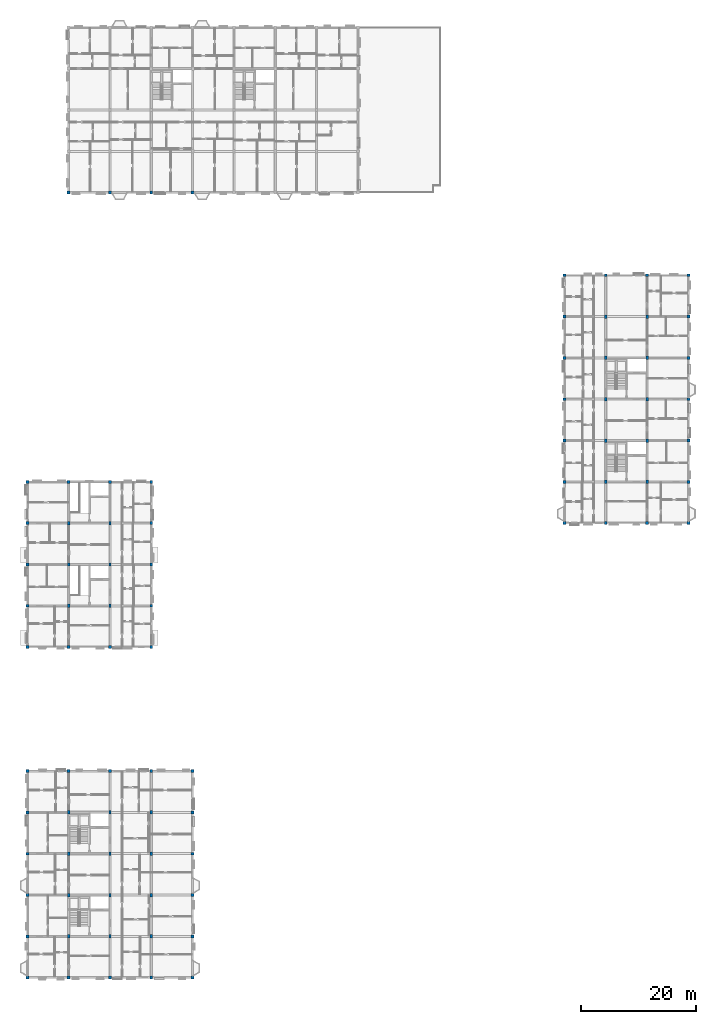
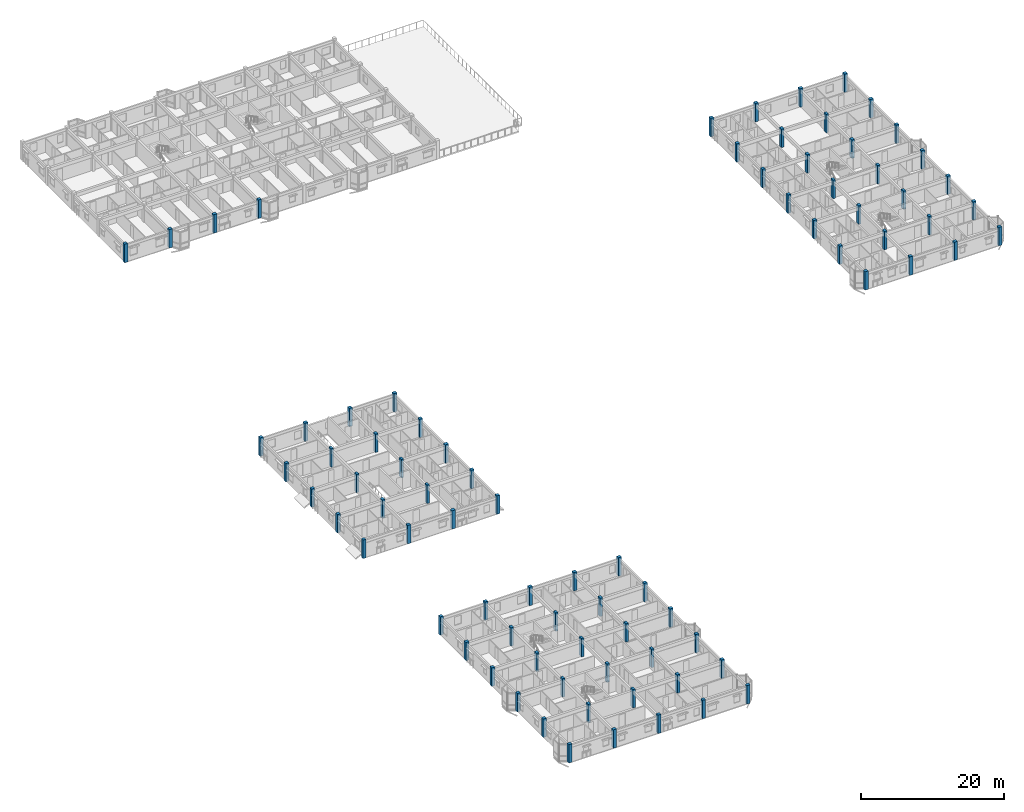
# One storey, part 1 of 64: 82 columns.
"""IFC4 building model written with IfcOpenShell, lengths in metres."""

from ifc_helpers import new_model, si_unit, direction, frame, origin, origin_2d, place, context, subcontext, project, spatial, rectangle, extrude, material, material_profile, profile_set, type_object, element, save


model = new_model("IFC4")

# Units and contexts
model_context = context("Model", 3, precision=1e-05, world=origin(), true_north=direction((0.0, 1.0)))
body_context = subcontext(model_context, "Body", "Model", "MODEL_VIEW")
ifc_project = project(units=[si_unit("LENGTHUNIT", "METRE"), si_unit("AREAUNIT", "SQUARE_METRE"), si_unit("VOLUMEUNIT", "CUBIC_METRE"), si_unit("PLANEANGLEUNIT", "RADIAN"), si_unit("MASSUNIT", "GRAM", prefix="KILO"), si_unit("THERMODYNAMICTEMPERATUREUNIT", "KELVIN"), si_unit("POWERUNIT", "WATT")], contexts=[model_context])

# Site, building, storey
site_placement = place(None, origin())
site = spatial("IfcSite", under=ifc_project, at=site_placement, CompositionType="ELEMENT")
building_placement = place(site_placement, origin())
building = spatial("IfcBuilding", under=site, at=building_placement, Name="Tavuni Mirador Residences", CompositionType="ELEMENT")
storey_placement = place(building_placement, frame((0.0, 0.0, 26.550048828125)))
storey = spatial("IfcBuildingStorey", under=building, at=storey_placement, Name="L08", CompositionType="ELEMENT", Elevation=26.550048828125)

# Columns
ifc_material = material(Name="Precast concrete C40/50", Category="concrete")
ifc_material_profile_1 = material_profile(ifc_material, rectangle(XDim=0.39990234375, YDim=0.60009765625, at=origin_2d()), Name="RC 400x600", Category="concrete")
ifc_profile_set_1 = profile_set([ifc_material_profile_1], Name="Precast concrete C40/50")
column_type_1 = type_object("IfcColumnType", Name="CT-RC400X600", PredefinedType="COLUMN", material=ifc_profile_set_1)
for number, where, z_axis, x_axis, name in (
    (1, (10.800048828125, 14.39990234375, 0.0), (0.0, 0.0, 1.0), (1.0, 0.0, 0.0), "COL-BLK-A-L08-01-01"),
    (2, (10.800048828125, 21.60009765625, 0.0), (0.0, 0.0, 1.0), (1.0, 0.0, 0.0), "COL-BLK-A-L08-01-02"),
    (3, (10.800048828125, 28.800048828125, 0.0), (0.0, 0.0, 1.0), (1.0, 0.0, 0.0), "COL-BLK-A-L08-01-03"),
    (4, (10.800048828125, 36.0, 0.0), (0.0, 0.0, 1.0), (1.0, 0.0, 0.0), "COL-BLK-A-L08-01-04"),
    (5, (18.0, 14.39990234375, 0.0), (0.0, 0.0, 1.0), (1.0, 0.0, 0.0), "COL-BLK-A-L08-02-01"),
    (6, (18.0, 21.60009765625, 0.0), (0.0, 0.0, 1.0), (1.0, 0.0, 0.0), "COL-BLK-A-L08-02-02"),
    (7, (18.0, 28.800048828125, 0.0), (0.0, 0.0, 1.0), (1.0, 0.0, 0.0), "COL-BLK-A-L08-02-03"),
    (8, (18.0, 36.0, 0.0), (0.0, 0.0, 1.0), (1.0, 0.0, 0.0), "COL-BLK-A-L08-02-04"),
    (9, (25.199951171875, 14.39990234375, 0.0), (0.0, 0.0, 1.0), (1.0, 0.0, 0.0), "COL-BLK-A-L08-03-01"),
    (10, (25.199951171875, 21.60009765625, 0.0), (0.0, 0.0, 1.0), (1.0, 0.0, 0.0), "COL-BLK-A-L08-03-02"),
    (11, (25.199951171875, 28.800048828125, 0.0), (0.0, 0.0, 1.0), (1.0, 0.0, 0.0), "COL-BLK-A-L08-03-03"),
    (12, (25.199951171875, 36.0, 0.0), (0.0, 0.0, 1.0), (1.0, 0.0, 0.0), "COL-BLK-A-L08-03-04"),
    (13, (10.800048828125, 72.0, 0.0), (0.0, 0.0, 1.0), (1.0, 0.0, 0.0), "COL-BLK-B-L08-01-01"),
    (14, (10.800048828125, 79.199951171875, 0.0), (0.0, 0.0, 1.0), (1.0, 0.0, 0.0), "COL-BLK-B-L08-01-02"),
    (15, (10.800048828125, 86.39990234375, 0.0), (0.0, 0.0, 1.0), (1.0, 0.0, 0.0), "COL-BLK-B-L08-01-03"),
    (16, (18.0, 72.0, 0.0), (0.0, 0.0, 1.0), (1.0, 0.0, 0.0), "COL-BLK-B-L08-02-01"),
    (17, (18.0, 79.199951171875, 0.0), (0.0, 0.0, 1.0), (1.0, 0.0, 0.0), "COL-BLK-B-L08-02-02"),
    (18, (18.0, 86.39990234375, 0.0), (0.0, 0.0, 1.0), (1.0, 0.0, 0.0), "COL-BLK-B-L08-02-03"),
    (19, (104.39990234375, 93.60009765625, 0.0), (0.0, 0.0, 1.0), (1.0, 0.0, 0.0), "COL-BLK-D-L08-01-01"),
    (20, (104.39990234375, 100.800048828125, 0.0), (0.0, 0.0, 1.0), (1.0, 0.0, 0.0), "COL-BLK-D-L08-01-02"),
    (21, (104.39990234375, 108.0, 0.0), (0.0, 0.0, 1.0), (1.0, 0.0, 0.0), "COL-BLK-D-L08-01-03"),
    (22, (104.39990234375, 115.199951171875, 0.0), (0.0, 0.0, 1.0), (1.0, 0.0, 0.0), "COL-BLK-D-L08-01-04"),
    (23, (104.39990234375, 122.39990234375, 0.0), (0.0, 0.0, 1.0), (1.0, 0.0, 0.0), "COL-BLK-D-L08-01-05"),
    (24, (111.60009765625, 93.60009765625, 0.0), (0.0, 0.0, 1.0), (1.0, 0.0, 0.0), "COL-BLK-D-L08-02-01"),
    (25, (111.60009765625, 100.800048828125, 0.0), (0.0, 0.0, 1.0), (1.0, 0.0, 0.0), "COL-BLK-D-L08-02-02"),
    (26, (111.60009765625, 108.0, 0.0), (0.0, 0.0, 1.0), (1.0, 0.0, 0.0), "COL-BLK-D-L08-02-03"),
    (27, (111.60009765625, 115.199951171875, 0.0), (0.0, 0.0, 1.0), (1.0, 0.0, 0.0), "COL-BLK-D-L08-02-04"),
    (28, (111.60009765625, 122.39990234375, 0.0), (0.0, 0.0, 1.0), (1.0, 0.0, 0.0), "COL-BLK-D-L08-02-05"),
):
    element("IfcColumn", number, at=place(storey_placement, frame(where, z_axis=z_axis, x_axis=x_axis)), inside=storey, type_object=column_type_1, Name=name, PredefinedType="COLUMN", context=body_context, shape_type="SweptSolid", body=[
        extrude(rectangle(XDim=0.39990234375, YDim=0.60009765625, at=origin_2d()), origin(), (0.0, 0.0, 1.0), 3.14990234375),
    ])
ifc_material_profile_2 = material_profile(ifc_material, rectangle(XDim=0.5, YDim=0.5, at=origin_2d()), Name="RC 500x500", Category="concrete")
ifc_profile_set_2 = profile_set([ifc_material_profile_2], Name="Precast concrete C40/50")
column_type_2 = type_object("IfcColumnType", Name="CT-RC500", PredefinedType="COLUMN", material=ifc_profile_set_2)
for number, where, z_axis, x_axis, name in (
    (29, (3.60009765625, 7.199951171875, 0.0), (0.0, 0.0, 1.0), (1.0, 0.0, 0.0), "COL-BLK-A-L08-00-00"),
    (30, (3.60009765625, 14.39990234375, 0.0), (0.0, 0.0, 1.0), (1.0, 0.0, 0.0), "COL-BLK-A-L08-00-01"),
    (31, (3.60009765625, 21.60009765625, 0.0), (0.0, 0.0, 1.0), (1.0, 0.0, 0.0), "COL-BLK-A-L08-00-02"),
    (32, (3.60009765625, 28.800048828125, 0.0), (0.0, 0.0, 1.0), (1.0, 0.0, 0.0), "COL-BLK-A-L08-00-03"),
    (33, (3.60009765625, 36.0, 0.0), (0.0, 0.0, 1.0), (1.0, 0.0, 0.0), "COL-BLK-A-L08-00-04"),
    (34, (3.60009765625, 43.199951171875, 0.0), (0.0, 0.0, 1.0), (1.0, 0.0, 0.0), "COL-BLK-A-L08-00-05"),
    (35, (10.800048828125, 7.199951171875, 0.0), (0.0, 0.0, 1.0), (1.0, 0.0, 0.0), "COL-BLK-A-L08-01-00"),
    (36, (10.800048828125, 43.199951171875, 0.0), (0.0, 0.0, 1.0), (1.0, 0.0, 0.0), "COL-BLK-A-L08-01-05"),
    (37, (18.0, 7.199951171875, 0.0), (0.0, 0.0, 1.0), (1.0, 0.0, 0.0), "COL-BLK-A-L08-02-00"),
    (38, (18.0, 43.199951171875, 0.0), (0.0, 0.0, 1.0), (1.0, 0.0, 0.0), "COL-BLK-A-L08-02-05"),
    (39, (25.199951171875, 7.199951171875, 0.0), (0.0, 0.0, 1.0), (1.0, 0.0, 0.0), "COL-BLK-A-L08-03-00"),
    (40, (25.199951171875, 43.199951171875, 0.0), (0.0, 0.0, 1.0), (1.0, 0.0, 0.0), "COL-BLK-A-L08-03-05"),
    (41, (32.39990234375, 7.199951171875, 0.0), (0.0, 0.0, 1.0), (1.0, 0.0, 0.0), "COL-BLK-A-L08-04-00"),
    (42, (32.39990234375, 14.39990234375, 0.0), (0.0, 0.0, 1.0), (1.0, 0.0, 0.0), "COL-BLK-A-L08-04-01"),
    (43, (32.39990234375, 21.60009765625, 0.0), (0.0, 0.0, 1.0), (1.0, 0.0, 0.0), "COL-BLK-A-L08-04-02"),
    (44, (32.39990234375, 28.800048828125, 0.0), (0.0, 0.0, 1.0), (1.0, 0.0, 0.0), "COL-BLK-A-L08-04-03"),
    (45, (32.39990234375, 36.0, 0.0), (0.0, 0.0, 1.0), (1.0, 0.0, 0.0), "COL-BLK-A-L08-04-04"),
    (46, (32.39990234375, 43.199951171875, 0.0), (0.0, 0.0, 1.0), (1.0, 0.0, 0.0), "COL-BLK-A-L08-04-05"),
    (47, (3.60009765625, 64.800048828125, 0.0), (0.0, 0.0, 1.0), (1.0, 0.0, 0.0), "COL-BLK-B-L08-00-00"),
    (48, (3.60009765625, 72.0, 0.0), (0.0, 0.0, 1.0), (1.0, 0.0, 0.0), "COL-BLK-B-L08-00-01"),
    (49, (3.60009765625, 79.199951171875, 0.0), (0.0, 0.0, 1.0), (1.0, 0.0, 0.0), "COL-BLK-B-L08-00-02"),
    (50, (3.60009765625, 86.39990234375, 0.0), (0.0, 0.0, 1.0), (1.0, 0.0, 0.0), "COL-BLK-B-L08-00-03"),
    (51, (3.60009765625, 93.60009765625, 0.0), (0.0, 0.0, 1.0), (1.0, 0.0, 0.0), "COL-BLK-B-L08-00-04"),
    (52, (10.800048828125, 64.800048828125, 0.0), (0.0, 0.0, 1.0), (1.0, 0.0, 0.0), "COL-BLK-B-L08-01-00"),
    (53, (10.800048828125, 93.60009765625, 0.0), (0.0, 0.0, 1.0), (1.0, 0.0, 0.0), "COL-BLK-B-L08-01-04"),
    (54, (18.0, 64.800048828125, 0.0), (0.0, 0.0, 1.0), (1.0, 0.0, 0.0), "COL-BLK-B-L08-02-00"),
    (55, (18.0, 93.60009765625, 0.0), (0.0, 0.0, 1.0), (1.0, 0.0, 0.0), "COL-BLK-B-L08-02-04"),
    (56, (25.199951171875, 64.800048828125, 0.0), (0.0, 0.0, 1.0), (1.0, 0.0, 0.0), "COL-BLK-B-L08-03-00"),
    (57, (25.199951171875, 72.0, 0.0), (0.0, 0.0, 1.0), (1.0, 0.0, 0.0), "COL-BLK-B-L08-03-01"),
    (58, (25.199951171875, 79.199951171875, 0.0), (0.0, 0.0, 1.0), (1.0, 0.0, 0.0), "COL-BLK-B-L08-03-02"),
    (59, (25.199951171875, 86.39990234375, 0.0), (0.0, 0.0, 1.0), (1.0, 0.0, 0.0), "COL-BLK-B-L08-03-03"),
    (60, (25.199951171875, 93.60009765625, 0.0), (0.0, 0.0, 1.0), (1.0, 0.0, 0.0), "COL-BLK-B-L08-03-04"),
    (61, (10.800048828125, 144.0, 0.0), (0.0, 0.0, 1.0), (1.0, 0.0, 0.0), "COL-BLK-C-L08-00-00"),
    (62, (18.0, 144.0, 0.0), (0.0, 0.0, 1.0), (1.0, 0.0, 0.0), "COL-BLK-C-L08-01-00"),
    (63, (25.199951171875, 144.0, 0.0), (0.0, 0.0, 1.0), (1.0, 0.0, 0.0), "COL-BLK-C-L08-02-00"),
    (64, (32.39990234375, 144.0, 0.0), (0.0, 0.0, 1.0), (1.0, 0.0, 0.0), "COL-BLK-C-L08-03-00"),
    (65, (97.199951171875, 86.39990234375, 0.0), (0.0, 0.0, 1.0), (1.0, 0.0, 0.0), "COL-BLK-D-L08-00-00"),
    (66, (97.199951171875, 93.60009765625, 0.0), (0.0, 0.0, 1.0), (1.0, 0.0, 0.0), "COL-BLK-D-L08-00-01"),
    (67, (97.199951171875, 100.800048828125, 0.0), (0.0, 0.0, 1.0), (1.0, 0.0, 0.0), "COL-BLK-D-L08-00-02"),
    (68, (97.199951171875, 108.0, 0.0), (0.0, 0.0, 1.0), (1.0, 0.0, 0.0), "COL-BLK-D-L08-00-03"),
    (69, (97.199951171875, 115.199951171875, 0.0), (0.0, 0.0, 1.0), (1.0, 0.0, 0.0), "COL-BLK-D-L08-00-04"),
    (70, (97.199951171875, 122.39990234375, 0.0), (0.0, 0.0, 1.0), (1.0, 0.0, 0.0), "COL-BLK-D-L08-00-05"),
    (71, (97.199951171875, 129.60009765625, 0.0), (0.0, 0.0, 1.0), (1.0, 0.0, 0.0), "COL-BLK-D-L08-00-06"),
    (72, (104.39990234375, 86.39990234375, 0.0), (0.0, 0.0, 1.0), (1.0, 0.0, 0.0), "COL-BLK-D-L08-01-00"),
    (73, (104.39990234375, 129.60009765625, 0.0), (0.0, 0.0, 1.0), (1.0, 0.0, 0.0), "COL-BLK-D-L08-01-06"),
    (74, (111.60009765625, 86.39990234375, 0.0), (0.0, 0.0, 1.0), (1.0, 0.0, 0.0), "COL-BLK-D-L08-02-00"),
    (75, (111.60009765625, 129.60009765625, 0.0), (0.0, 0.0, 1.0), (1.0, 0.0, 0.0), "COL-BLK-D-L08-02-06"),
    (76, (118.800048828125, 86.39990234375, 0.0), (0.0, 0.0, 1.0), (1.0, 0.0, 0.0), "COL-BLK-D-L08-03-00"),
    (77, (118.800048828125, 93.60009765625, 0.0), (0.0, 0.0, 1.0), (1.0, 0.0, 0.0), "COL-BLK-D-L08-03-01"),
    (78, (118.800048828125, 100.800048828125, 0.0), (0.0, 0.0, 1.0), (1.0, 0.0, 0.0), "COL-BLK-D-L08-03-02"),
    (79, (118.800048828125, 108.0, 0.0), (0.0, 0.0, 1.0), (1.0, 0.0, 0.0), "COL-BLK-D-L08-03-03"),
    (80, (118.800048828125, 115.199951171875, 0.0), (0.0, 0.0, 1.0), (1.0, 0.0, 0.0), "COL-BLK-D-L08-03-04"),
    (81, (118.800048828125, 122.39990234375, 0.0), (0.0, 0.0, 1.0), (1.0, 0.0, 0.0), "COL-BLK-D-L08-03-05"),
    (82, (118.800048828125, 129.60009765625, 0.0), (0.0, 0.0, 1.0), (1.0, 0.0, 0.0), "COL-BLK-D-L08-03-06"),
):
    element("IfcColumn", number, at=place(storey_placement, frame(where, z_axis=z_axis, x_axis=x_axis)), inside=storey, type_object=column_type_2, Name=name, PredefinedType="COLUMN", context=body_context, shape_type="SweptSolid", body=[
        extrude(rectangle(XDim=0.5, YDim=0.5, at=origin_2d()), origin(), (0.0, 0.0, 1.0), 3.14990234375),
    ])

save(model, "model.ifc")
